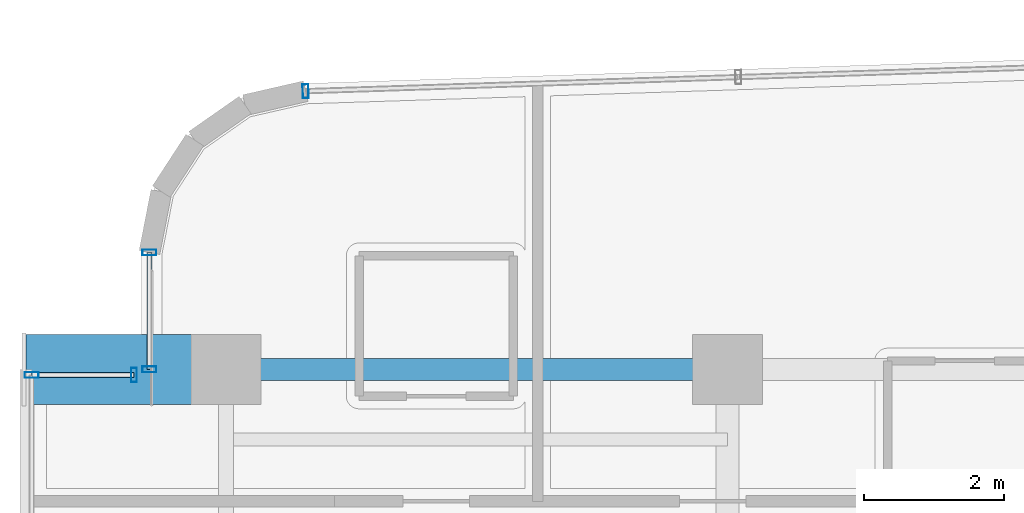
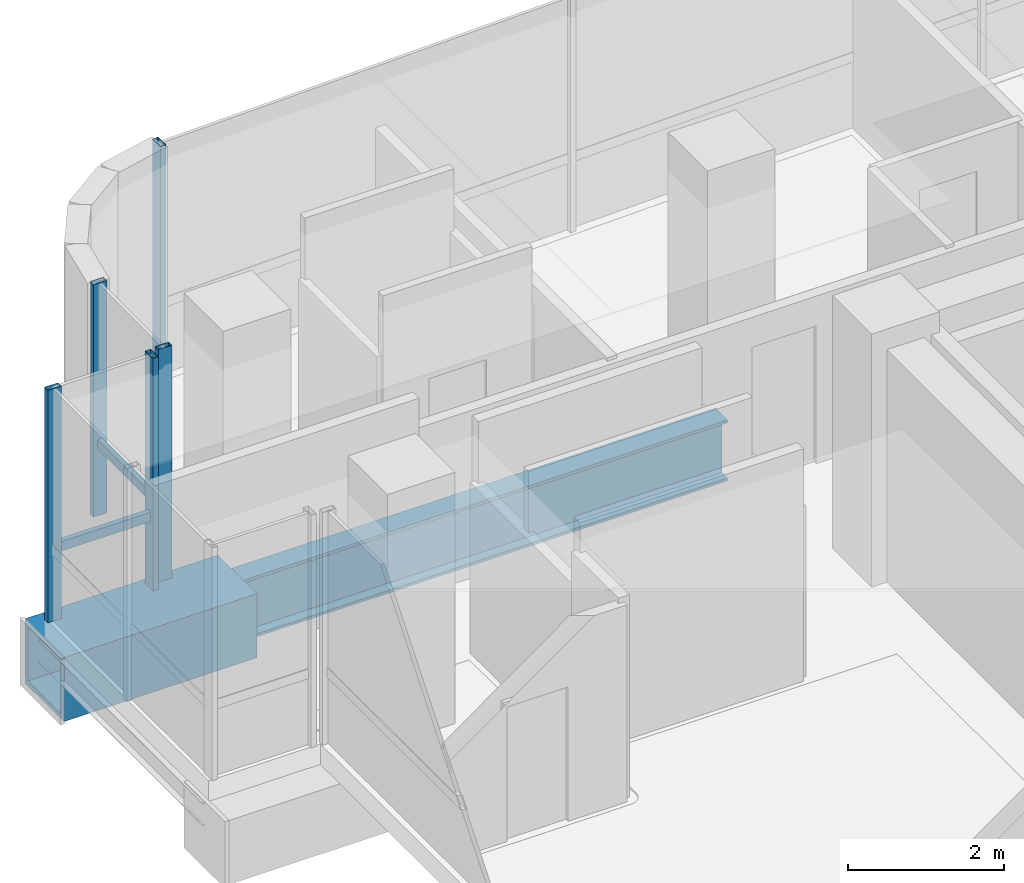
# One storey, part 18 of 39: 7 members, 2 beams, 4 elements without a shape of their own.
"""IFC4 building model written with IfcOpenShell, lengths in metres."""

from ifc_helpers import new_model, si_unit, direction, frame, origin, origin_2d, place, context, subcontext, project, spatial, hollow_rectangle, i_section, extrude, source, transform, mapped, material, material_profile, profile_set, type_object, element, aggregate, save


model = new_model("IFC4")

# Units and contexts
model_context = context("Model", 3, precision=1e-05, world=origin(), true_north=direction((0.0, 1.0)))
body_context = subcontext(model_context, "Body", "Model", "MODEL_VIEW")
ifc_project = project(units=[si_unit("LENGTHUNIT", "METRE"), si_unit("AREAUNIT", "SQUARE_METRE"), si_unit("VOLUMEUNIT", "CUBIC_METRE"), si_unit("PLANEANGLEUNIT", "RADIAN"), si_unit("MASSUNIT", "GRAM", prefix="KILO")], contexts=[model_context])

# Site, building, storey
site_placement = place(None, origin())
site = spatial("IfcSite", under=ifc_project, at=site_placement, CompositionType="ELEMENT")
building_placement = place(site_placement, origin())
building = spatial("IfcBuilding", under=site, at=building_placement, Name="Valdorenza Pilgrim Sanctuary Tower", CompositionType="ELEMENT")
storey_placement = place(building_placement, frame((0.0, 0.0, 184.449951171875)))
storey = spatial("IfcBuildingStorey", under=building, at=storey_placement, Name="L47", CompositionType="ELEMENT", Elevation=184.449951171875)

# Beams
ifc_material_1 = material(Name="Steel ASTM A572 Grade 42", Category="steel")
ifc_material_profile_1 = material_profile(ifc_material_1, hollow_rectangle(XDim=1.0, YDim=1.0, WallThickness=0.080078125, at=origin_2d()), Name="BOX 1000x1000x80")
ifc_profile_set_1 = profile_set([ifc_material_profile_1], Name="Steel ASTM A572 Grade 42")
beam_type_1 = type_object("IfcBeamType", Name="STR-BM-PROW-CANT", PredefinedType="BEAM", material=ifc_profile_set_1)
shared_shape_1 = source(origin(), body_context, "Body", "SweptSolid", [
    extrude(hollow_rectangle(XDim=1.0, YDim=1.0, WallThickness=0.080078125, at=origin_2d()), origin(), (0.0, 0.0, 1.0), 2.849853515625),
])
beam_1_placement = place(storey_placement, frame((-29.800048828125, 14.800048828125, -0.820068359375), z_axis=(-1.0, 0.0, 0.0), x_axis=(0.0, -1.0, 0.0)))
element("IfcBeam", 1, at=beam_1_placement, inside=storey, type_object=beam_type_1, Name="L47 Glass Box Cantilever Beam BOX-WA-L47-CT-N", PredefinedType="BEAM", context=body_context, shape_type="MappedRepresentation", body=[
    mapped(shared_shape_1, transform((0.0, 0.0, 0.0), x_axis=(1.0, 0.0, 0.0), y_axis=(0.0, 1.0, 0.0), z_axis=(0.0, 0.0, 1.0), scale=1.0)),
])
ifc_material_2 = material(Name="Steel ASTM A992 Grade 50", Category="steel")
ifc_material_profile_2 = material_profile(ifc_material_2, i_section(OverallWidth=0.31005859375, OverallDepth=0.949951171875, WebThickness=0.0244140625, FlangeThickness=0.0439453125, at=origin_2d()), Name="W36X256")
ifc_profile_set_2 = profile_set([ifc_material_profile_2], Name="Steel ASTM A992 Grade 50")
beam_type_2 = type_object("IfcBeamType", Name="STR-BM-GRD-W36B", PredefinedType="BEAM", material=ifc_profile_set_2)
shared_shape_2 = source(origin(), body_context, "Body", "SweptSolid", [
    extrude(i_section(OverallWidth=0.31005859375, OverallDepth=0.949951171875, WebThickness=0.0244140625, FlangeThickness=0.0439453125, at=origin_2d()), origin(), (0.0, 0.0, 1.0), 7.150146484375),
])
beam_2_placement = place(storey_placement, frame((-29.800048828125, 14.800048828125, -0.794921875), z_axis=(1.0, 0.0, 0.0), x_axis=(0.0, 1.0, 0.0)))
element("IfcBeam", 2, at=beam_2_placement, inside=storey, type_object=beam_type_2, Name="L47 Floor Girder WA-XW-N2", PredefinedType="BEAM", context=body_context, shape_type="MappedRepresentation", body=[
    mapped(shared_shape_2, transform((0.0, 0.0, 0.0), x_axis=(1.0, 0.0, 0.0), y_axis=(0.0, 1.0, 0.0), z_axis=(0.0, 0.0, 1.0), scale=1.0)),
])

# Curtain wall, member
ifc_material_3 = material(Name="Curtain-wall IGU glazing", Category="glass")
curtain_wall_type = type_object("IfcCurtainWallType", Name="CW-SYS-02", PredefinedType="NOTDEFINED", material=ifc_material_3)
curtain_wall_1_placement = place(storey_placement, origin())
curtain_wall_1 = element("IfcCurtainWall", 3, at=curtain_wall_1_placement, inside=storey, type_object=curtain_wall_type, Name="L47 Curtain Wall CW-L47-BOX-WA-L47-N", PredefinedType="NOTDEFINED")
ifc_material_4 = material(Name="Anodised aluminium AW-6060", Category="aluminium")
ifc_material_profile_3 = material_profile(ifc_material_4, hollow_rectangle(XDim=0.074951171875, YDim=0.14990234375, WallThickness=0.00390625, at=origin_2d()), Name="ALU-T 150x75x4")
ifc_profile_set_3 = profile_set([ifc_material_profile_3], Name="Anodised aluminium AW-6060")
member_type_1 = type_object("IfcMemberType", Name="CW-TRN-02", PredefinedType="USERDEFINED", material=ifc_profile_set_3)
shared_shape_3 = source(origin(), body_context, "Body", "SweptSolid", [
    extrude(hollow_rectangle(XDim=0.074951171875, YDim=0.14990234375, WallThickness=0.00390625, at=origin_2d()), origin(), (0.0, 0.0, 1.0), 1.4599609375),
])
member_1_placement = place(storey_placement, frame((-32.570068359375, 14.719970703125, 1.1201171875), z_axis=(1.0, 0.0, 0.0), x_axis=(0.0, 1.0, 0.0)))
member_1 = element("IfcMember", 4, at=member_1_placement, type_object=member_type_1, Name="CW-L47-BOX-WA-L47-N Transom 1", ObjectType="TRANSOM", PredefinedType="USERDEFINED", context=body_context, shape_type="MappedRepresentation", body=[
    mapped(shared_shape_3, transform((0.0, 0.0, 0.0), x_axis=(1.0, 0.0, 0.0), y_axis=(0.0, 1.0, 0.0), z_axis=(0.0, 0.0, 1.0), scale=1.0)),
])

# Curtain wall, members
curtain_wall_2_placement = place(storey_placement, origin())
curtain_wall_2 = element("IfcCurtainWall", 5, at=curtain_wall_2_placement, inside=storey, type_object=curtain_wall_type, Name="L47 Curtain Wall CW-L47-1-1S2", PredefinedType="NOTDEFINED")
ifc_material_profile_4 = material_profile(ifc_material_4, hollow_rectangle(XDim=0.0849609375, YDim=0.199951171875, WallThickness=0.0048828125, at=origin_2d()), Name="ALU-M 200x85x5")
ifc_profile_set_4 = profile_set([ifc_material_profile_4], Name="Anodised aluminium AW-6060")
member_type_2 = type_object("IfcMemberType", Name="CW-MUL-02", PredefinedType="MULLION", material=ifc_profile_set_4)
shared_shape_4 = source(origin(), body_context, "Body", "SweptSolid", [
    extrude(hollow_rectangle(XDim=0.0849609375, YDim=0.199951171875, WallThickness=0.0048828125, at=origin_2d()), origin(), (0.0, 0.0, 1.0), 3.630126953125),
])
member_2_placement = place(storey_placement, frame((-30.889892578125, 14.800048828125, 0.0), z_axis=(0.0, 0.0, 1.0), x_axis=(0.0, 1.0, 0.0)))
member_2 = element("IfcMember", 6, at=member_2_placement, type_object=member_type_2, Name="CW-L47-1-1S2 Mullion 1", PredefinedType="MULLION", context=body_context, shape_type="MappedRepresentation", body=[
    mapped(shared_shape_4, transform((0.0, 0.0, 0.0), x_axis=(1.0, 0.0, 0.0), y_axis=(0.0, 1.0, 0.0), z_axis=(0.0, 0.0, 1.0), scale=1.0)),
])
member_3_placement = place(storey_placement, frame((-30.889892578125, 16.46630859375, 0.0), z_axis=(0.0, 0.0, 1.0), x_axis=(0.0, 1.0, 0.0)))
member_3 = element("IfcMember", 7, at=member_3_placement, type_object=member_type_2, Name="CW-L47-1-1S2 Mullion 2", PredefinedType="MULLION", context=body_context, shape_type="MappedRepresentation", body=[
    mapped(shared_shape_4, transform((0.0, 0.0, 0.0), x_axis=(1.0, 0.0, 0.0), y_axis=(0.0, 1.0, 0.0), z_axis=(0.0, 0.0, 1.0), scale=1.0)),
])

# Curtain wall, member
curtain_wall_3_placement = place(storey_placement, origin())
curtain_wall_3 = element("IfcCurtainWall", 8, at=curtain_wall_3_placement, inside=storey, type_object=curtain_wall_type, Name="L47 Curtain Wall CW-L47-1-6", PredefinedType="NOTDEFINED")
member_4_placement = place(storey_placement, frame((-28.663818359375, 18.76611328125, 0.0), z_axis=(0.0, 0.0, 1.0), x_axis=(0.999470282811, 0.032544642846, 0.0)))
member_4 = element("IfcMember", 9, at=member_4_placement, type_object=member_type_2, Name="CW-L47-1-6 Mullion 1", PredefinedType="MULLION", context=body_context, shape_type="MappedRepresentation", body=[
    mapped(shared_shape_4, transform((0.0, 0.0, 0.0), x_axis=(1.0, 0.0, 0.0), y_axis=(0.0, 1.0, 0.0), z_axis=(0.0, 0.0, 1.0), scale=1.0)),
])
aggregate(curtain_wall_3, [member_4])

curtain_wall_4_placement = place(storey_placement, origin())
curtain_wall_4 = element("IfcCurtainWall", 10, at=curtain_wall_4_placement, inside=storey, type_object=curtain_wall_type, Name="L47 Curtain Wall CW-L47-BOX-WA-L47-F", PredefinedType="NOTDEFINED")
member_5_placement = place(storey_placement, frame((-32.570068359375, 14.719970703125, 0.0), z_axis=(0.0, 0.0, 1.0), x_axis=(0.0, 1.0, 0.0)))
member_5 = element("IfcMember", 11, at=member_5_placement, type_object=member_type_2, Name="CW-L47-BOX-WA-L47-F Mullion 3", PredefinedType="MULLION", context=body_context, shape_type="MappedRepresentation", body=[
    mapped(shared_shape_4, transform((0.0, 0.0, 0.0), x_axis=(1.0, 0.0, 0.0), y_axis=(0.0, 1.0, 0.0), z_axis=(0.0, 0.0, 1.0), scale=1.0)),
])
aggregate(curtain_wall_4, [member_5])

# Member
member_6_placement = place(storey_placement, frame((-31.110107421875, 14.719970703125, 0.0), z_axis=(0.0, 0.0, 1.0), x_axis=(1.0, 0.0, 0.0)))
member_6 = element("IfcMember", 12, at=member_6_placement, type_object=member_type_2, Name="CW-L47-BOX-WA-L47-N Mullion 2", PredefinedType="MULLION", context=body_context, shape_type="MappedRepresentation", body=[
    mapped(shared_shape_4, transform((0.0, 0.0, 0.0), x_axis=(1.0, 0.0, 0.0), y_axis=(0.0, 1.0, 0.0), z_axis=(0.0, 0.0, 1.0), scale=1.0)),
])

aggregate(curtain_wall_1, [member_6, member_1])

shared_shape_5 = source(origin(), body_context, "Body", "SweptSolid", [
    extrude(hollow_rectangle(XDim=0.074951171875, YDim=0.14990234375, WallThickness=0.00390625, at=origin_2d()), origin(), (0.0, 0.0, 1.0), 1.666259765625),
])
member_7_placement = place(storey_placement, frame((-30.889892578125, 14.800048828125, 1.1201171875), z_axis=(0.0, 1.0, 0.0), x_axis=(-1.0, 0.0, 0.0)))
member_7 = element("IfcMember", 13, at=member_7_placement, type_object=member_type_1, Name="CW-L47-1-1S2 Transom 1", ObjectType="TRANSOM", PredefinedType="USERDEFINED", context=body_context, shape_type="MappedRepresentation", body=[
    mapped(shared_shape_5, transform((0.0, 0.0, 0.0), x_axis=(1.0, 0.0, 0.0), y_axis=(0.0, 1.0, 0.0), z_axis=(0.0, 0.0, 1.0), scale=1.0)),
])

aggregate(curtain_wall_2, [member_2, member_3, member_7])

save(model, "model.ifc")
